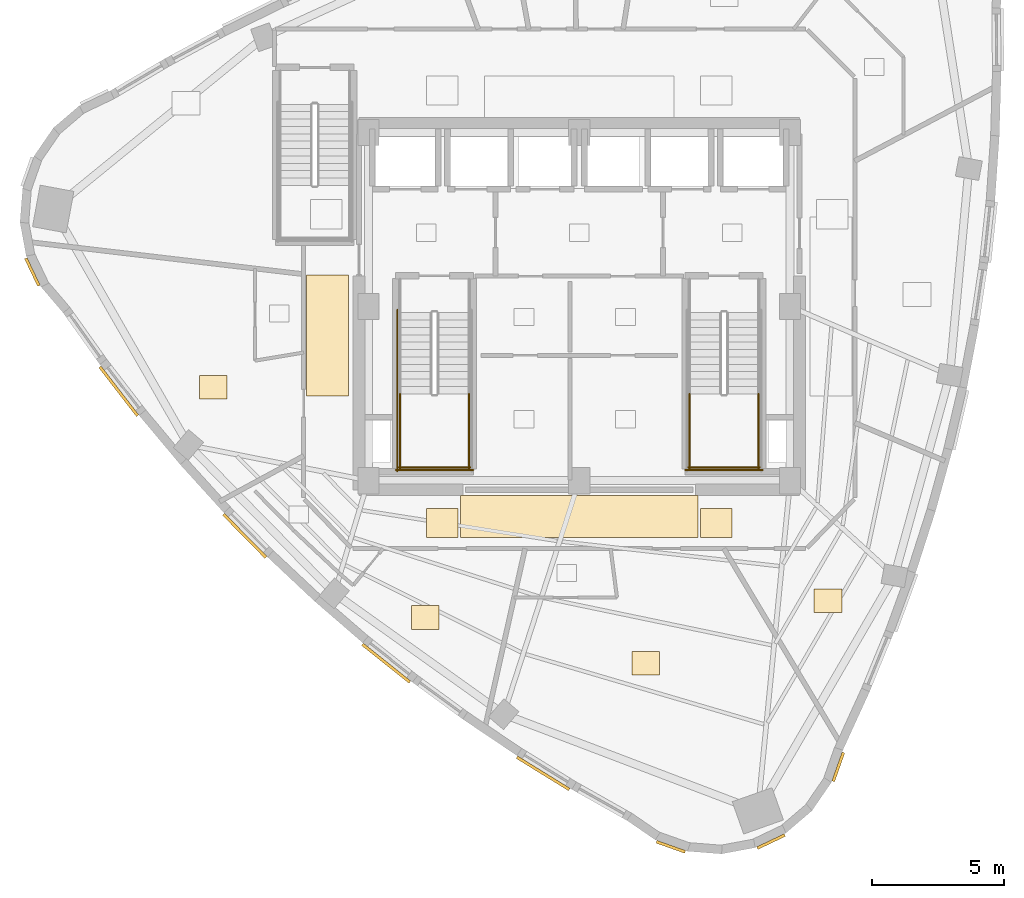
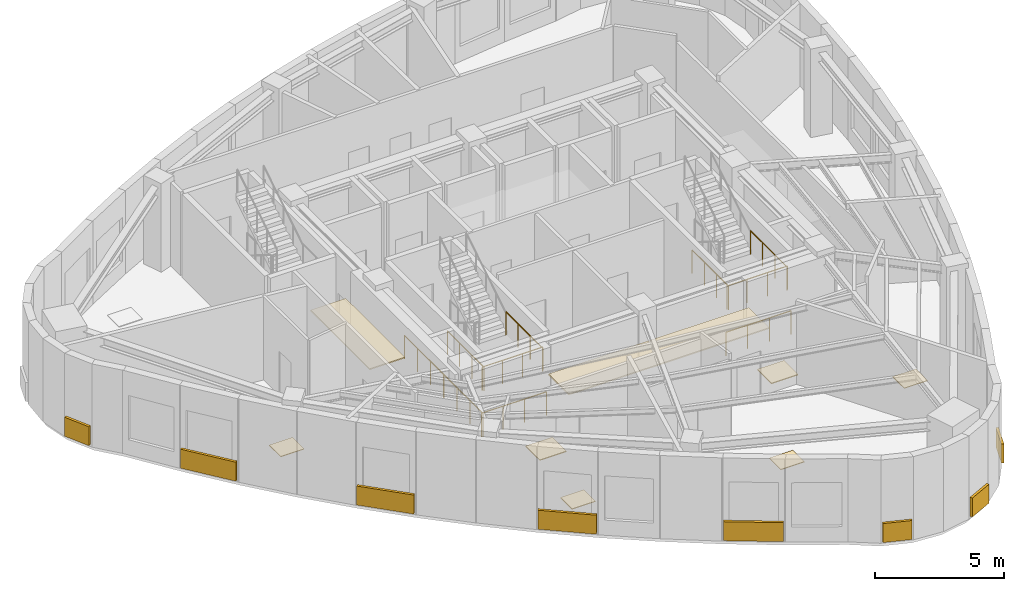
# One storey, part 7 of 9: 16 coverings, 9 railings.
"""IFC4 building model written with IfcOpenShell, lengths in metres."""

from ifc_helpers import new_model, si_unit, direction, frame, origin, origin_2d, place, context, subcontext, project, spatial, rectangle, circle, extrude, material, layer, layer_set, type_object, element, save


model = new_model("IFC4")

# Units and contexts
model_context = context("Model", 3, precision=1e-05, world=origin(), true_north=direction((0.0, 1.0)))
body_context = subcontext(model_context, "Body", "Model", "MODEL_VIEW")
ifc_project = project(units=[si_unit("LENGTHUNIT", "METRE"), si_unit("AREAUNIT", "SQUARE_METRE"), si_unit("VOLUMEUNIT", "CUBIC_METRE"), si_unit("PLANEANGLEUNIT", "RADIAN"), si_unit("MASSUNIT", "GRAM", prefix="KILO")], contexts=[model_context])

# Site, building, storey
site_placement = place(None, origin())
site = spatial("IfcSite", under=ifc_project, at=site_placement, CompositionType="ELEMENT")
building_placement = place(site_placement, origin())
building = spatial("IfcBuilding", under=site, at=building_placement, Name="Ndelora Gate Hotel", CompositionType="ELEMENT")
storey_placement = place(building_placement, frame((0.0, 0.0, 264.39990234375)))
storey = spatial("IfcBuildingStorey", under=building, at=storey_placement, Name="L66", CompositionType="ELEMENT", Elevation=264.39990234375)

# Coverings
ifc_material_1 = material(Name="Perforated Acoustic Gypsum Board", Category="gypsum")
ifc_layer_1 = layer(ifc_material_1, 0.054931640625)
ifc_layer_set_1 = layer_set([ifc_layer_1], Name="Perforated Acoustic Gypsum Board")
covering_type_1 = type_object("IfcCoveringType", Name="COV-CEIL-AC60", PredefinedType="CEILING", material=ifc_layer_set_1)
covering_1_placement = place(storey_placement, frame((-9.550048828125, -1.10009765625, 2.65283203125), z_axis=(0.0, 0.0, 1.0), x_axis=(1.0, 0.0, 0.0)))
element("IfcCovering", 1, at=covering_1_placement, inside=storey, type_object=covering_type_1, Name="L66 Guest Corridor Acoustic Ceiling W", PredefinedType="CEILING", context=body_context, shape_type="SweptSolid", body=[
    extrude(rectangle(XDim=1.580078125, YDim=4.60009765625, at=origin_2d()), origin(), (0.0, 0.0, 1.0), 0.054931640625),
])
covering_2_placement = place(storey_placement, frame((0.0, -7.9599609375, 2.65283203125), z_axis=(0.0, 0.0, 1.0), x_axis=(1.0, 0.0, 0.0)))
element("IfcCovering", 2, at=covering_2_placement, inside=storey, type_object=covering_type_1, Name="L66 Guest Corridor Acoustic Ceiling S", PredefinedType="CEILING", context=body_context, shape_type="SweptSolid", body=[
    extrude(rectangle(XDim=9.0, YDim=1.580078125, at=origin_2d()), origin(), (0.0, 0.0, 1.0), 0.054931640625),
])
ifc_material_2 = material(Name="Terracotta Fired Clay Brick Slip Cladding", Category="masonry")
ifc_layer_2 = layer(ifc_material_2, 0.110107421875)
ifc_layer_set_2 = layer_set([ifc_layer_2], Name="Terracotta Fired Clay Brick Slip Cladding")
covering_type_2 = type_object("IfcCoveringType", Name="COV-CLAD-BRK", PredefinedType="CLADDING", material=ifc_layer_set_2)
covering_3_placement = place(storey_placement, frame((-20.7412109375, 1.310791015625, 0.10009765625), z_axis=(0.0, 0.0, 1.0), x_axis=(-0.430511096808, 0.90258528435, 0.0)))
element("IfcCovering", 3, at=covering_3_placement, inside=storey, type_object=covering_type_2, Name="L66 Rounded-Corner Brick Cladding Band 7", PredefinedType="CLADDING", context=body_context, shape_type="SweptSolid", body=[
    extrude(rectangle(XDim=1.153076171875, YDim=0.110107421875, at=origin_2d()), origin(), (0.0, 0.0, 1.0), 0.89990234375),
])
covering_4_placement = place(storey_placement, frame((-17.46484375, -3.21337890625, 0.10009765625), z_axis=(0.0, 0.0, 1.0), x_axis=(-0.610974512974, 0.791650266529, 0.0)))
element("IfcCovering", 4, at=covering_4_placement, inside=storey, type_object=covering_type_2, Name="L66 Rounded-Corner Brick Cladding Band 10", PredefinedType="CLADDING", context=body_context, shape_type="SweptSolid", body=[
    extrude(rectangle(XDim=2.3369140625, YDim=0.110107421875, at=origin_2d()), origin(), (0.0, 0.0, 1.0), 0.89990234375),
])
for number, where, z_axis, x_axis, name in (
    (5, (-12.687744140625, -8.6962890625, 0.10009765625), (0.0, 0.0, 1.0), (-0.701158192968, 0.713005742217, 0.0), "L66 Rounded-Corner Brick Cladding Band 13"),
    (6, (-7.322509765625, -13.52734375, 0.10009765625), (0.0, 0.0, 1.0), (-0.782390810577, 0.622787780488, 0.0), "L66 Rounded-Corner Brick Cladding Band 16"),
):
    element("IfcCovering", number, at=place(storey_placement, frame(where, z_axis=z_axis, x_axis=x_axis)), inside=storey, type_object=covering_type_2, Name=name, PredefinedType="CLADDING", context=body_context, shape_type="SweptSolid", body=[
        extrude(rectangle(XDim=2.302001953125, YDim=0.110107421875, at=origin_2d()), origin(), (0.0, 0.0, 1.0), 0.89990234375),
    ])
covering_5_placement = place(storey_placement, frame((-1.3701171875, -17.705078125, 0.10009765625), z_axis=(0.0, 0.0, 1.0), x_axis=(-0.851177750474, 0.524877544859, 0.0)))
element("IfcCovering", 7, at=covering_5_placement, inside=storey, type_object=covering_type_2, Name="L66 Rounded-Corner Brick Cladding Band 19", PredefinedType="CLADDING", context=body_context, shape_type="SweptSolid", body=[
    extrude(rectangle(XDim=2.3369140625, YDim=0.110107421875, at=origin_2d()), origin(), (0.0, 0.0, 1.0), 0.89990234375),
])
for number, where, z_axis, x_axis, name in (
    (8, (3.4716796875, -20.490478515625, 0.10009765625), (0.0, 0.0, 1.0), (-0.942641491092, 0.333806859234, 0.0), "L66 Rounded-Corner Brick Cladding Band 22"),
    (9, (7.276123046875, -20.291259765625, 0.10009765625), (0.0, 0.0, 1.0), (0.90258528435, 0.430511096808, 0.0), "L66 Rounded-Corner Brick Cladding Band 25"),
    (10, (9.8251953125, -17.460205078125, 0.10009765625), (0.0, 0.0, 1.0), (0.333806859234, 0.942641491092, 0.0), "L66 Rounded-Corner Brick Cladding Band 28"),
):
    element("IfcCovering", number, at=place(storey_placement, frame(where, z_axis=z_axis, x_axis=x_axis)), inside=storey, type_object=covering_type_2, Name=name, PredefinedType="CLADDING", context=body_context, shape_type="SweptSolid", body=[
        extrude(rectangle(XDim=1.153076171875, YDim=0.110107421875, at=origin_2d()), origin(), (0.0, 0.0, 1.0), 0.89990234375),
    ])
ifc_material_3 = material(Name="Engineered Highland Oak Parquet", Category="wood")
ifc_layer_3 = layer(ifc_material_3, 0.030029296875)
ifc_layer_set_3 = layer_set([ifc_layer_3], Name="Engineered Highland Oak Parquet")
covering_type_3 = type_object("IfcCoveringType", Name="COV-FLR-PARQ", PredefinedType="FLOORING", material=ifc_layer_set_3)
for number, where, z_axis, x_axis, name in (
    (11, (-13.87451171875, -3.05712890625, 0.0), (0.0, 0.0, 1.0), (1.0, 0.0, 0.0), "L66 Crown Summit Suite 6901 Oak Parquet Flooring"),
    (12, (-5.843994140625, -11.7939453125, 0.0), (0.0, 0.0, 1.0), (1.0, 0.0, 0.0), "L66 Presidential Summit Suite 6902 Oak Parquet Flooring"),
    (13, (2.527587890625, -13.531982421875, 0.0), (0.0, 0.0, 1.0), (1.0, 0.0, 0.0), "L66 Crown Diplomatic Suite 6903 Oak Parquet Flooring"),
    (14, (9.435546875, -11.1572265625, 0.0), (0.0, 0.0, 1.0), (1.0, 0.0, 0.0), "L66 Summit Collector Study Oak Parquet Flooring"),
):
    element("IfcCovering", number, at=place(storey_placement, frame(where, z_axis=z_axis, x_axis=x_axis)), inside=storey, type_object=covering_type_3, Name=name, PredefinedType="FLOORING", context=body_context, shape_type="SweptSolid", body=[
        extrude(rectangle(XDim=1.050048828125, YDim=0.89990234375, at=origin_2d()), origin(), (0.0, 0.0, 1.0), 0.030029296875),
    ])
ifc_material_4 = material(Name="Polished Highland Stone Terrazzo", Category="masonry")
ifc_layer_4 = layer(ifc_material_4, 0.034912109375)
ifc_layer_set_4 = layer_set([ifc_layer_4], Name="Polished Highland Stone Terrazzo")
covering_type_4 = type_object("IfcCoveringType", Name="COV-FLR-TERZ", PredefinedType="FLOORING", material=ifc_layer_set_4)
for number, where, z_axis, x_axis, name in (
    (15, (-5.199951171875, -8.199951171875, 0.0), (0.0, 0.0, 1.0), (1.0, 0.0, 0.0), "L66 Corridor Threshold Terrazzo Inlay SW"),
    (16, (5.199951171875, -8.199951171875, 0.0), (0.0, 0.0, 1.0), (1.0, 0.0, 0.0), "L66 Corridor Threshold Terrazzo Inlay SE"),
):
    element("IfcCovering", number, at=place(storey_placement, frame(where, z_axis=z_axis, x_axis=x_axis)), inside=storey, type_object=covering_type_4, Name=name, PredefinedType="FLOORING", context=body_context, shape_type="SweptSolid", body=[
        extrude(rectangle(XDim=1.199951171875, YDim=1.10009765625, at=origin_2d()), origin(), (0.0, 0.0, 1.0), 0.034912109375),
    ])

# Railings
ifc_material_5 = material(Name="Painted Galvanized Steel Balustrade", Category="steel")
ifc_layer_5 = layer(ifc_material_5, 0.06005859375)
ifc_layer_set_5 = layer_set([ifc_layer_5], Name="Painted Galvanized Steel Balustrade")
railing_type = type_object("IfcRailingType", Name="RL-STAIR-GD", PredefinedType="GUARDRAIL", material=ifc_layer_set_5)
for number, where, name in (
    (17, (-6.800048828125, -3.31005859375, 2.10009765625), "L66 ST4 stair guard 3"),
    (18, (-4.179931640625, -3.31005859375, 2.10009765625), "L66 ST4 stair guard 4"),
):
    element("IfcRailing", number, at=place(storey_placement, frame(where)), inside=storey, type_object=railing_type, Name=name, PredefinedType="GUARDRAIL", context=body_context, shape_type="SweptSolid", body=[
        extrude(circle(Radius=0.02392578125, at=origin_2d()), frame((0.0, 0.0, 1.10595703125), z_axis=(0.0, -1.0, 0.0), x_axis=(1.0, 0.0, 0.0)), (0.0, 0.0, 1.0), 2.83984375),
        extrude(circle(Radius=0.02099609375, at=origin_2d()), origin(), (0.0, 0.0, 1.0), 1.081787109375),
        extrude(circle(Radius=0.02099609375, at=origin_2d()), frame((0.0, -0.946533203125, 0.0)), (0.0, 0.0, 1.0), 1.081787109375),
        extrude(circle(Radius=0.02099609375, at=origin_2d()), frame((0.0, -1.893310546875, 0.0)), (0.0, 0.0, 1.0), 1.081787109375),
        extrude(circle(Radius=0.02099609375, at=origin_2d()), frame((0.0, -2.83984375, 0.0)), (0.0, 0.0, 1.0), 1.081787109375),
    ])
railing_1_placement = place(storey_placement, frame((-6.85009765625, -6.10009765625, 2.10009765625)))
element("IfcRailing", 19, at=railing_1_placement, inside=storey, type_object=railing_type, Name="L66 ST4 stair guard 5", PredefinedType="GUARDRAIL", context=body_context, shape_type="SweptSolid", body=[
    extrude(circle(Radius=0.02392578125, at=origin_2d()), frame((0.0, 0.0, 1.10595703125), z_axis=(1.0, 0.0, 0.0), x_axis=(0.0, 1.0, 0.0)), (0.0, 0.0, 1.0), 2.72021484375),
    extrude(circle(Radius=0.02099609375, at=origin_2d()), origin(), (0.0, 0.0, 1.0), 1.081787109375),
    extrude(circle(Radius=0.02099609375, at=origin_2d()), frame((0.90673828125, 0.0, 0.0)), (0.0, 0.0, 1.0), 1.081787109375),
    extrude(circle(Radius=0.02099609375, at=origin_2d()), frame((1.8134765625, 0.0, 0.0)), (0.0, 0.0, 1.0), 1.081787109375),
    extrude(circle(Radius=0.02099609375, at=origin_2d()), frame((2.72021484375, 0.0, 0.0)), (0.0, 0.0, 1.0), 1.081787109375),
])
railing_2_placement = place(storey_placement, frame((-6.89990234375, -0.1298828125, 0.0)))
element("IfcRailing", 20, at=railing_2_placement, inside=storey, type_object=railing_type, Name="L66 ST4 stair guard 10", PredefinedType="GUARDRAIL", context=body_context, shape_type="SweptSolid", body=[
    extrude(circle(Radius=0.02392578125, at=origin_2d()), frame((0.0, 0.0, 1.10595703125), z_axis=(0.0, -1.0, 0.0), x_axis=(1.0, 0.0, 0.0)), (0.0, 0.0, 1.0), 6.1201171875),
    extrude(circle(Radius=0.02099609375, at=origin_2d()), origin(), (0.0, 0.0, 1.0), 1.081787109375),
    extrude(circle(Radius=0.02099609375, at=origin_2d()), frame((0.0, -1.02001953125, 0.0)), (0.0, 0.0, 1.0), 1.081787109375),
    extrude(circle(Radius=0.02099609375, at=origin_2d()), frame((0.0, -2.0400390625, 0.0)), (0.0, 0.0, 1.0), 1.081787109375),
    extrude(circle(Radius=0.02099609375, at=origin_2d()), frame((0.0, -3.06005859375, 0.0)), (0.0, 0.0, 1.0), 1.081787109375),
    extrude(circle(Radius=0.02099609375, at=origin_2d()), frame((0.0, -4.080078125, 0.0)), (0.0, 0.0, 1.0), 1.081787109375),
    extrude(circle(Radius=0.02099609375, at=origin_2d()), frame((0.0, -5.10009765625, 0.0)), (0.0, 0.0, 1.0), 1.081787109375),
    extrude(circle(Radius=0.02099609375, at=origin_2d()), frame((0.0, -6.1201171875, 0.0)), (0.0, 0.0, 1.0), 1.081787109375),
])
railing_3_placement = place(storey_placement, frame((-6.949951171875, -6.199951171875, 0.0)))
element("IfcRailing", 21, at=railing_3_placement, inside=storey, type_object=railing_type, Name="L66 ST4 stair guard 12", PredefinedType="GUARDRAIL", context=body_context, shape_type="SweptSolid", body=[
    extrude(circle(Radius=0.02392578125, at=origin_2d()), frame((0.0, 0.0, 1.10595703125), z_axis=(1.0, 0.0, 0.0), x_axis=(0.0, 1.0, 0.0)), (0.0, 0.0, 1.0), 2.919921875),
    extrude(circle(Radius=0.02099609375, at=origin_2d()), origin(), (0.0, 0.0, 1.0), 1.081787109375),
    extrude(circle(Radius=0.02099609375, at=origin_2d()), frame((0.973388671875, 0.0, 0.0)), (0.0, 0.0, 1.0), 1.081787109375),
    extrude(circle(Radius=0.02099609375, at=origin_2d()), frame((1.946533203125, 0.0, 0.0)), (0.0, 0.0, 1.0), 1.081787109375),
    extrude(circle(Radius=0.02099609375, at=origin_2d()), frame((2.919921875, 0.0, 0.0)), (0.0, 0.0, 1.0), 1.081787109375),
])
for number, where, name in (
    (22, (4.179931640625, -3.31005859375, 2.10009765625), "L66 ST5 stair guard 3"),
    (23, (6.800048828125, -3.31005859375, 2.10009765625), "L66 ST5 stair guard 4"),
):
    element("IfcRailing", number, at=place(storey_placement, frame(where)), inside=storey, type_object=railing_type, Name=name, PredefinedType="GUARDRAIL", context=body_context, shape_type="SweptSolid", body=[
        extrude(circle(Radius=0.02392578125, at=origin_2d()), frame((0.0, 0.0, 1.10595703125), z_axis=(0.0, -1.0, 0.0), x_axis=(1.0, 0.0, 0.0)), (0.0, 0.0, 1.0), 2.83984375),
        extrude(circle(Radius=0.02099609375, at=origin_2d()), origin(), (0.0, 0.0, 1.0), 1.081787109375),
        extrude(circle(Radius=0.02099609375, at=origin_2d()), frame((0.0, -0.946533203125, 0.0)), (0.0, 0.0, 1.0), 1.081787109375),
        extrude(circle(Radius=0.02099609375, at=origin_2d()), frame((0.0, -1.893310546875, 0.0)), (0.0, 0.0, 1.0), 1.081787109375),
        extrude(circle(Radius=0.02099609375, at=origin_2d()), frame((0.0, -2.83984375, 0.0)), (0.0, 0.0, 1.0), 1.081787109375),
    ])
railing_4_placement = place(storey_placement, frame((4.1298828125, -6.10009765625, 2.10009765625)))
element("IfcRailing", 24, at=railing_4_placement, inside=storey, type_object=railing_type, Name="L66 ST5 stair guard 5", PredefinedType="GUARDRAIL", context=body_context, shape_type="SweptSolid", body=[
    extrude(circle(Radius=0.02392578125, at=origin_2d()), frame((0.0, 0.0, 1.10595703125), z_axis=(1.0, 0.0, 0.0), x_axis=(0.0, 1.0, 0.0)), (0.0, 0.0, 1.0), 2.72021484375),
    extrude(circle(Radius=0.02099609375, at=origin_2d()), origin(), (0.0, 0.0, 1.0), 1.081787109375),
    extrude(circle(Radius=0.02099609375, at=origin_2d()), frame((0.90673828125, 0.0, 0.0)), (0.0, 0.0, 1.0), 1.081787109375),
    extrude(circle(Radius=0.02099609375, at=origin_2d()), frame((1.8134765625, 0.0, 0.0)), (0.0, 0.0, 1.0), 1.081787109375),
    extrude(circle(Radius=0.02099609375, at=origin_2d()), frame((2.72021484375, 0.0, 0.0)), (0.0, 0.0, 1.0), 1.081787109375),
])
railing_5_placement = place(storey_placement, frame((4.030029296875, -6.199951171875, 0.0)))
element("IfcRailing", 25, at=railing_5_placement, inside=storey, type_object=railing_type, Name="L66 ST5 stair guard 12", PredefinedType="GUARDRAIL", context=body_context, shape_type="SweptSolid", body=[
    extrude(circle(Radius=0.02392578125, at=origin_2d()), frame((0.0, 0.0, 1.10595703125), z_axis=(1.0, 0.0, 0.0), x_axis=(0.0, 1.0, 0.0)), (0.0, 0.0, 1.0), 2.919921875),
    extrude(circle(Radius=0.02099609375, at=origin_2d()), origin(), (0.0, 0.0, 1.0), 1.081787109375),
    extrude(circle(Radius=0.02099609375, at=origin_2d()), frame((0.973388671875, 0.0, 0.0)), (0.0, 0.0, 1.0), 1.081787109375),
    extrude(circle(Radius=0.02099609375, at=origin_2d()), frame((1.946533203125, 0.0, 0.0)), (0.0, 0.0, 1.0), 1.081787109375),
    extrude(circle(Radius=0.02099609375, at=origin_2d()), frame((2.919921875, 0.0, 0.0)), (0.0, 0.0, 1.0), 1.081787109375),
])

save(model, "model.ifc")
